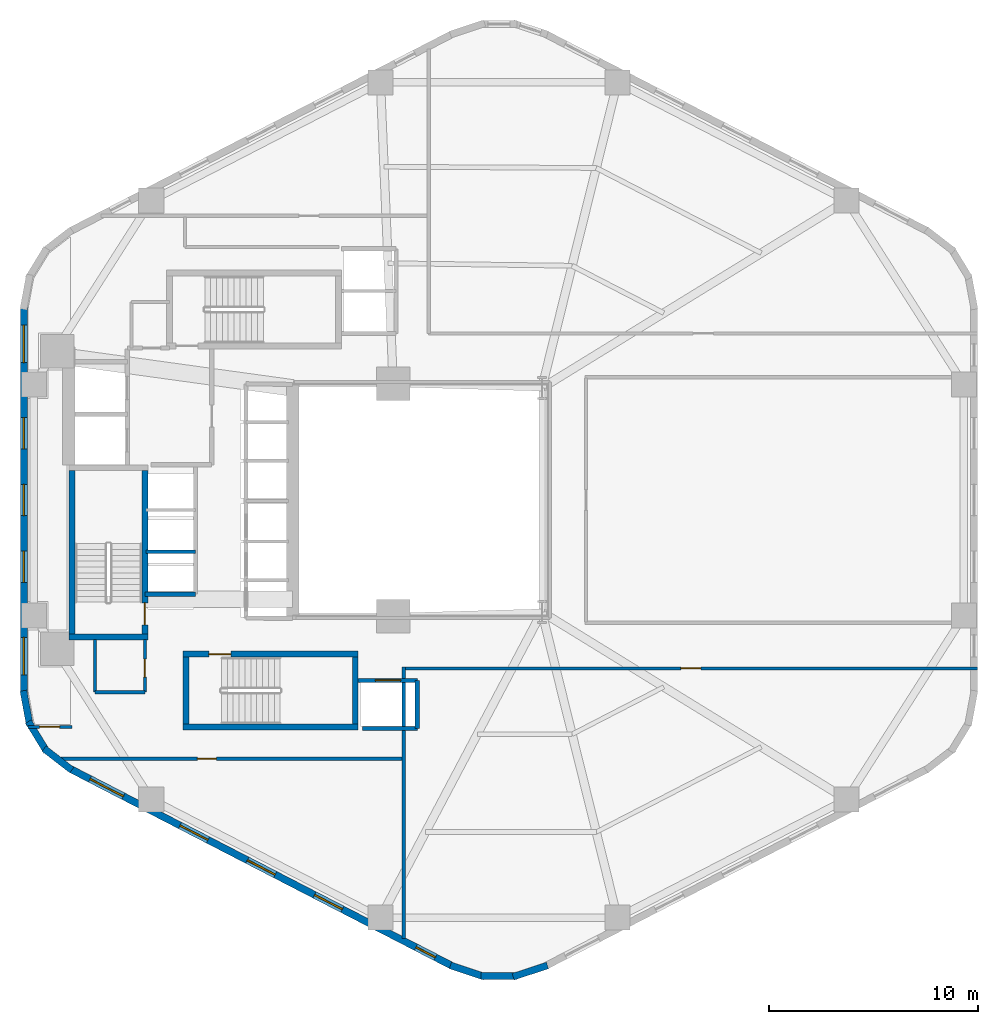
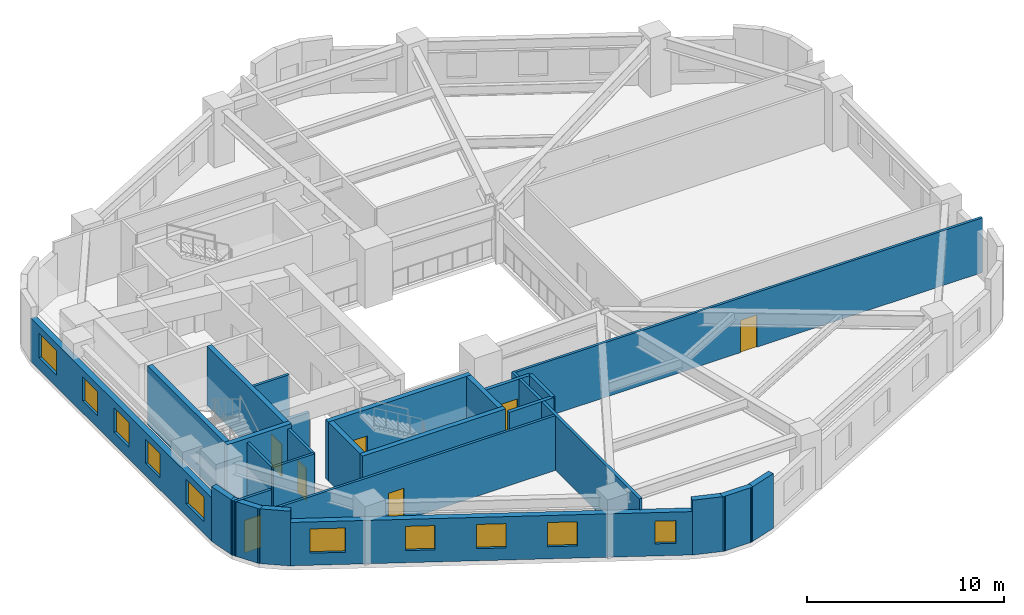
# One storey, part 2 of 6: 27 walls, 10 windows, 7 doors, 17 openings.
"""IFC4 building model written with IfcOpenShell, lengths in metres."""

from ifc_helpers import new_model, si_unit, direction, frame, frame_2d, origin, place, context, subcontext, project, spatial, rectangle, extrude, material, layer, layer_set, type_object, element, fill, save


model = new_model("IFC4")

# Units and contexts
model_context = context("Model", 3, precision=1e-05, world=origin(), true_north=direction((0.0, 1.0)))
body_context = subcontext(model_context, "Body", "Model", "MODEL_VIEW")
ifc_project = project(units=[si_unit("LENGTHUNIT", "METRE"), si_unit("AREAUNIT", "SQUARE_METRE"), si_unit("VOLUMEUNIT", "CUBIC_METRE"), si_unit("PLANEANGLEUNIT", "RADIAN"), si_unit("MASSUNIT", "GRAM", prefix="KILO"), si_unit("THERMODYNAMICTEMPERATUREUNIT", "KELVIN"), si_unit("POWERUNIT", "WATT")], contexts=[model_context])

# Site, building, storey
site_placement = place(None, origin())
site = spatial("IfcSite", under=ifc_project, at=site_placement, CompositionType="ELEMENT")
building_placement = place(site_placement, origin())
building = spatial("IfcBuilding", under=site, at=building_placement, Name="Skarre Station Tower", CompositionType="ELEMENT")
storey_placement = place(building_placement, frame((0.0, 0.0, 30.64990234375)))
storey = spatial("IfcBuildingStorey", under=building, at=storey_placement, Name="L07", CompositionType="ELEMENT", Elevation=30.64990234375)

# Walls
ifc_material_1 = material(Name="Acoustic Steel-Stud Gypsum Partition", Category="steel")
ifc_layer_1 = layer(ifc_material_1, 0.14990234375, Name="Acoustic Steel-Stud Gypsum Partition")
ifc_layer_set_1 = layer_set([ifc_layer_1], Name="Acoustic Steel-Stud Gypsum Partition")
wall_type_1 = type_object("IfcWallType", Name="Fire-Rated Corridor Acoustic Partition 150", PredefinedType="PARTITIONING", material=ifc_layer_set_1)
wall_1_placement = place(storey_placement, frame((18.10009765625, 17.340087890625, 0.0), z_axis=(0.0, 0.0, 1.0), x_axis=(0.0, -1.0, 0.0)))
element("IfcWall", 1, at=wall_1_placement, inside=storey, type_object=wall_type_1, Name="L07 Interior Partition WL-PT-L07-CSVC-W", PredefinedType="PARTITIONING", context=body_context, shape_type="SweptSolid", body=[
    extrude(rectangle(XDim=2.52001953125, YDim=0.14990234375, at=frame_2d((1.260009765625, 0.0))), origin(), (0.0, 0.0, 1.0), 3.39013671875),
])
wall_2_placement = place(storey_placement, frame((18.10009765625, 14.820068359375, 0.0), z_axis=(0.0, 0.0, 1.0), x_axis=(1.0, 0.0, 0.0)))
element("IfcWall", 2, at=wall_2_placement, inside=storey, type_object=wall_type_1, Name="L07 Interior Partition WL-PT-L07-CSVC-S", PredefinedType="PARTITIONING", context=body_context, shape_type="SweptSolid", body=[
    extrude(rectangle(XDim=2.389892578125, YDim=0.14990234375, at=frame_2d((1.19482421875, 0.0))), origin(), (0.0, 0.0, 1.0), 3.39013671875),
])

# Wall, opening, door
wall_3_placement = place(storey_placement, frame((20.489990234375, 14.820068359375, 0.0), z_axis=(0.0, 0.0, 1.0), x_axis=(0.0, 1.0, 0.0)))
wall_3 = element("IfcWall", 3, at=wall_3_placement, inside=storey, type_object=wall_type_1, Name="L07 Interior Partition WL-PT-L07-CSVC-E", PredefinedType="PARTITIONING", context=body_context, shape_type="SweptSolid", body=[
    extrude(rectangle(XDim=2.52001953125, YDim=0.14990234375, at=frame_2d((1.260009765625, 0.0))), origin(), (0.0, 0.0, 1.0), 3.39013671875),
])
opening_1_placement = place(wall_3_placement, frame((0.719970703125, 0.0, 0.0)))
opening_1 = element("IfcOpeningElement", 4, at=opening_1_placement, cuts=wall_3, Name="Opening DR-SVC86", PredefinedType="OPENING", context=body_context, shape_type="SweptSolid", body=[
    extrude(rectangle(XDim=0.860107421875, YDim=2.0, at=frame_2d((0.43017578125, 1.0))), frame((0.0, 0.0849609375, 0.0), z_axis=(0.0, -1.0, 0.0), x_axis=(1.0, 0.0, 0.0)), (0.0, 0.0, 1.0), 0.169921875),
])
ifc_material_2 = material(Name="Powder-Coated Hollow-Metal Acoustic Fire Leaf", Category="steel")
door_type_1 = type_object("IfcDoorType", Name="Compact Riser Fire Door FD60 860x2100", OperationType="SINGLE_SWING_LEFT", PredefinedType="DOOR", material=ifc_material_2)
door_1_placement = place(opening_1_placement, origin())
door_1 = element("IfcDoor", 5, at=door_1_placement, inside=storey, type_object=door_type_1, Name="L07 Core Staff Toilet Door", OperationType="SINGLE_SWING_LEFT", OverallHeight=2.0, OverallWidth=0.860107421875, PredefinedType="DOOR", context=body_context, shape_type="SweptSolid", body=[
    extrude(rectangle(XDim=0.860107421875, YDim=2.0, at=frame_2d((0.43017578125, 1.0))), frame((0.0, 0.02490234375, 0.0), z_axis=(0.0, -1.0, 0.0), x_axis=(1.0, 0.0, 0.0)), (0.0, 0.0, 1.0), 0.050048828125),
])
fill(opening_1, door_1)

wall_4_placement = place(storey_placement, frame((16.487060546875, 11.639892578125, 0.0), z_axis=(0.0, 0.0, 1.0), x_axis=(1.0, 0.0, 0.0)))
wall_4 = element("IfcWall", 6, at=wall_4_placement, inside=storey, type_object=wall_type_1, Name="L07 Interior Partition WL-PT-L07-SWP-N", PredefinedType="PARTITIONING", context=body_context, shape_type="SweptSolid", body=[
    extrude(rectangle(XDim=16.363037109375, YDim=0.14990234375, at=frame_2d((8.181640625, 0.0))), origin(), (0.0, 0.0, 1.0), 3.39013671875),
])
opening_2_placement = place(wall_4_placement, frame((6.512939453125, 0.0, 0.0)))
opening_2 = element("IfcOpeningElement", 7, at=opening_2_placement, cuts=wall_4, Name="Opening DR-SVC90", PredefinedType="OPENING", context=body_context, shape_type="SweptSolid", body=[
    extrude(rectangle(XDim=0.89990234375, YDim=2.0, at=frame_2d((0.449951171875, 1.0))), frame((0.0, 0.0849609375, 0.0), z_axis=(0.0, -1.0, 0.0), x_axis=(1.0, 0.0, 0.0)), (0.0, 0.0, 1.0), 0.169921875),
])
door_type_2 = type_object("IfcDoorType", Name="Service & Riser Fire Door FD60 900x2100", OperationType="SINGLE_SWING_LEFT", PredefinedType="DOOR", material=ifc_material_2)
door_2_placement = place(opening_2_placement, origin())
door_2 = element("IfcDoor", 8, at=door_2_placement, inside=storey, type_object=door_type_2, Name="L07 Floor Public Toilets Door", OperationType="SINGLE_SWING_LEFT", OverallHeight=2.0, OverallWidth=0.89990234375, PredefinedType="DOOR", context=body_context, shape_type="SweptSolid", body=[
    extrude(rectangle(XDim=0.89990234375, YDim=2.0, at=frame_2d((0.449951171875, 1.0))), frame((0.0, 0.02490234375, 0.0), z_axis=(0.0, -1.0, 0.0), x_axis=(1.0, 0.0, 0.0)), (0.0, 0.0, 1.0), 0.050048828125),
])
fill(opening_2, door_2)

wall_5_placement = place(storey_placement, frame((17.02001953125, 13.159912109375, 0.0), z_axis=(0.0, 0.0, 1.0), x_axis=(-1.0, 0.0, 0.0)))
wall_5 = element("IfcWall", 9, at=wall_5_placement, inside=storey, type_object=wall_type_1, Name="L07 Interior Partition WL-PT-L07-WW1-CW", PredefinedType="PARTITIONING", context=body_context, shape_type="SweptSolid", body=[
    extrude(rectangle(XDim=2.1201171875, YDim=0.14990234375, at=frame_2d((1.06005859375, 0.0))), origin(), (0.0, 0.0, 1.0), 3.39013671875),
])
opening_3_placement = place(wall_5_placement, frame((0.596923828125, 0.0, 0.0)))
opening_3 = element("IfcOpeningElement", 10, at=opening_3_placement, cuts=wall_5, Name="Opening DR-FD60", PredefinedType="OPENING", context=body_context, shape_type="SweptSolid", body=[
    extrude(rectangle(XDim=0.9599609375, YDim=2.0, at=frame_2d((0.47998046875, 1.0))), frame((0.0, 0.0849609375, 0.0), z_axis=(0.0, -1.0, 0.0), x_axis=(1.0, 0.0, 0.0)), (0.0, 0.0, 1.0), 0.169921875),
])
ifc_material_3 = material(Name="Nordic White-Oak Veneer Solid-Core Fire Leaf", Category="wood")
door_type_3 = type_object("IfcDoorType", Name="Corridor Suite Entry Fire Door FD60 960x2150", OperationType="SINGLE_SWING_LEFT", PredefinedType="DOOR", material=ifc_material_3)
door_3_placement = place(opening_3_placement, origin())
door_3 = element("IfcDoor", 11, at=door_3_placement, inside=storey, type_object=door_type_3, Name="L07 WW1 Entry Door", OperationType="SINGLE_SWING_LEFT", OverallHeight=2.0, OverallWidth=0.9599609375, PredefinedType="DOOR", context=body_context, shape_type="SweptSolid", body=[
    extrude(rectangle(XDim=0.9599609375, YDim=2.0, at=frame_2d((0.47998046875, 1.0))), frame((0.0, 0.02490234375, 0.0), z_axis=(0.0, -1.0, 0.0), x_axis=(1.0, 0.0, 0.0)), (0.0, 0.0, 1.0), 0.050048828125),
])
fill(opening_3, door_3)

wall_6_placement = place(storey_placement, frame((32.85009765625, 15.9599609375, 0.0), z_axis=(0.0, 0.0, 1.0), x_axis=(1.0, 0.0, 0.0)))
wall_6 = element("IfcWall", 12, at=wall_6_placement, inside=storey, type_object=wall_type_1, Name="L07 Interior Partition WL-PT-L07-SW1-CW", PredefinedType="PARTITIONING", context=body_context, shape_type="SweptSolid", body=[
    extrude(rectangle(XDim=27.40283203125, YDim=0.14990234375, at=frame_2d((13.701416015625, 0.0))), origin(), (0.0, 0.0, 1.0), 3.39013671875),
])
opening_4_placement = place(wall_6_placement, frame((13.235107421875, 0.0, 0.0)))
opening_4 = element("IfcOpeningElement", 13, at=opening_4_placement, cuts=wall_6, Name="Opening DR-FD60", PredefinedType="OPENING", context=body_context, shape_type="SweptSolid", body=[
    extrude(rectangle(XDim=0.9599609375, YDim=2.0, at=frame_2d((0.47998046875, 1.0))), frame((0.0, 0.0849609375, 0.0), z_axis=(0.0, -1.0, 0.0), x_axis=(1.0, 0.0, 0.0)), (0.0, 0.0, 1.0), 0.169921875),
])
door_4_placement = place(opening_4_placement, origin())
door_4 = element("IfcDoor", 14, at=door_4_placement, inside=storey, type_object=door_type_3, Name="L07 SW1 Entry Door", OperationType="SINGLE_SWING_LEFT", OverallHeight=2.0, OverallWidth=0.9599609375, PredefinedType="DOOR", context=body_context, shape_type="SweptSolid", body=[
    extrude(rectangle(XDim=0.9599609375, YDim=2.0, at=frame_2d((0.47998046875, 1.0))), frame((0.0, 0.02490234375, 0.0), z_axis=(0.0, -1.0, 0.0), x_axis=(1.0, 0.0, 0.0)), (0.0, 0.0, 1.0), 0.050048828125),
])
fill(opening_4, door_4)

# Wall, openings, windows
ifc_material_4 = material(Name="Precast concrete C45/55", Category="concrete")
ifc_layer_2 = layer(ifc_material_4, 0.340087890625, Name="Precast concrete C45/55")
ifc_layer_set_2 = layer_set([ifc_layer_2], Name="Precast concrete C45/55")
wall_type_2 = type_object("IfcWallType", Name="Nordic Honed Precast Facet Wall 340", PredefinedType="STANDARD", material=ifc_layer_set_2)
wall_7_placement = place(storey_placement, frame((14.70703125, 14.798095703125, 0.0), z_axis=(0.0, 0.0, 1.0), x_axis=(0.0, 1.0, 0.0)))
wall_7 = element("IfcWall", 15, at=wall_7_placement, inside=storey, type_object=wall_type_2, Name="L07 Facet 2 Nordic Precast Masonry Wall", PredefinedType="STANDARD", context=body_context, shape_type="SweptSolid", body=[
    extrude(rectangle(XDim=18.40380859375, YDim=0.340087890625, at=frame_2d((9.201904296875, 0.0))), origin(), (0.0, 0.0, 1.0), 2.68408203125),
])
opening_5_placement = place(wall_7_placement, frame((0.844970703125, 0.0, 0.75)))
opening_5 = element("IfcOpeningElement", 16, at=opening_5_placement, cuts=wall_7, Name="Opening WN-Z1A", PredefinedType="OPENING", context=body_context, shape_type="SweptSolid", body=[
    extrude(rectangle(XDim=1.800048828125, YDim=1.5, at=frame_2d((0.89990234375, 0.75))), frame((0.0, 0.179931640625, 0.0), z_axis=(0.0, -1.0, 0.0), x_axis=(1.0, 0.0, 0.0)), (0.0, 0.0, 1.0), 0.360107421875),
])
opening_6_placement = place(wall_7_placement, frame((5.264892578125, 0.0, 0.75)))
opening_6 = element("IfcOpeningElement", 17, at=opening_6_placement, cuts=wall_7, Name="Opening WN-Z1B", PredefinedType="OPENING", context=body_context, shape_type="SweptSolid", body=[
    extrude(rectangle(XDim=1.5, YDim=1.5, at=frame_2d((0.75, 0.75))), frame((0.0, 0.179931640625, 0.0), z_axis=(0.0, -1.0, 0.0), x_axis=(1.0, 0.0, 0.0)), (0.0, 0.0, 1.0), 0.360107421875),
])
opening_7_placement = place(wall_7_placement, frame((8.451904296875, 0.0, 0.75)))
opening_7 = element("IfcOpeningElement", 18, at=opening_7_placement, cuts=wall_7, Name="Opening WN-Z1B", PredefinedType="OPENING", context=body_context, shape_type="SweptSolid", body=[
    extrude(rectangle(XDim=1.5, YDim=1.5, at=frame_2d((0.75, 0.75))), frame((0.0, 0.179931640625, 0.0), z_axis=(0.0, -1.0, 0.0), x_axis=(1.0, 0.0, 0.0)), (0.0, 0.0, 1.0), 0.360107421875),
])
opening_8_placement = place(wall_7_placement, frame((11.638916015625, 0.0, 0.75)))
opening_8 = element("IfcOpeningElement", 19, at=opening_8_placement, cuts=wall_7, Name="Opening WN-Z1B", PredefinedType="OPENING", context=body_context, shape_type="SweptSolid", body=[
    extrude(rectangle(XDim=1.5, YDim=1.5, at=frame_2d((0.75, 0.75))), frame((0.0, 0.179931640625, 0.0), z_axis=(0.0, -1.0, 0.0), x_axis=(1.0, 0.0, 0.0)), (0.0, 0.0, 1.0), 0.360107421875),
])
opening_9_placement = place(wall_7_placement, frame((15.758056640625, 0.0, 0.75)))
opening_9 = element("IfcOpeningElement", 20, at=opening_9_placement, cuts=wall_7, Name="Opening WN-Z1A", PredefinedType="OPENING", context=body_context, shape_type="SweptSolid", body=[
    extrude(rectangle(XDim=1.800048828125, YDim=1.5, at=frame_2d((0.89990234375, 0.75))), frame((0.0, 0.179931640625, 0.0), z_axis=(0.0, -1.0, 0.0), x_axis=(1.0, 0.0, 0.0)), (0.0, 0.0, 1.0), 0.360107421875),
])
ifc_material_5 = material(Name="Low-Iron Triple Glazing with Bronze Anodized Frame", Category="glass")
window_type_1 = type_object("IfcWindowType", Name="Nordic Punched Triple-Glazed Window 1500x1500", PartitioningType="SINGLE_PANEL", PredefinedType="WINDOW", material=ifc_material_5)
window_1_placement = place(opening_6_placement, origin())
window_1 = element("IfcWindow", 21, at=window_1_placement, inside=storey, type_object=window_type_1, Name="L07 Facade Window WL-FAC-L07-F2-2", OverallHeight=1.5, OverallWidth=1.5, PartitioningType="SINGLE_PANEL", PredefinedType="WINDOW", context=body_context, shape_type="SweptSolid", body=[
    extrude(rectangle(XDim=1.5, YDim=1.5, at=frame_2d((0.75, 0.75))), frame((0.0, 0.030029296875, 0.0), z_axis=(0.0, -1.0, 0.0), x_axis=(1.0, 0.0, 0.0)), (0.0, 0.0, 1.0), 0.06005859375),
])
fill(opening_6, window_1)
window_2_placement = place(opening_7_placement, origin())
window_2 = element("IfcWindow", 22, at=window_2_placement, inside=storey, type_object=window_type_1, Name="L07 Facade Window WL-FAC-L07-F2-3", OverallHeight=1.5, OverallWidth=1.5, PartitioningType="SINGLE_PANEL", PredefinedType="WINDOW", context=body_context, shape_type="SweptSolid", body=[
    extrude(rectangle(XDim=1.5, YDim=1.5, at=frame_2d((0.75, 0.75))), frame((0.0, 0.030029296875, 0.0), z_axis=(0.0, -1.0, 0.0), x_axis=(1.0, 0.0, 0.0)), (0.0, 0.0, 1.0), 0.06005859375),
])
fill(opening_7, window_2)
window_3_placement = place(opening_8_placement, origin())
window_3 = element("IfcWindow", 23, at=window_3_placement, inside=storey, type_object=window_type_1, Name="L07 Facade Window WL-FAC-L07-F2-4", OverallHeight=1.5, OverallWidth=1.5, PartitioningType="SINGLE_PANEL", PredefinedType="WINDOW", context=body_context, shape_type="SweptSolid", body=[
    extrude(rectangle(XDim=1.5, YDim=1.5, at=frame_2d((0.75, 0.75))), frame((0.0, 0.030029296875, 0.0), z_axis=(0.0, -1.0, 0.0), x_axis=(1.0, 0.0, 0.0)), (0.0, 0.0, 1.0), 0.06005859375),
])
fill(opening_8, window_3)
window_type_2 = type_object("IfcWindowType", Name="Nordic Punched Triple-Glazed Window 1800x1500", PartitioningType="SINGLE_PANEL", PredefinedType="WINDOW", material=ifc_material_5)
window_4_placement = place(opening_5_placement, origin())
window_4 = element("IfcWindow", 24, at=window_4_placement, inside=storey, type_object=window_type_2, Name="L07 Facade Window WL-FAC-L07-F2-1", OverallHeight=1.5, OverallWidth=1.800048828125, PartitioningType="SINGLE_PANEL", PredefinedType="WINDOW", context=body_context, shape_type="SweptSolid", body=[
    extrude(rectangle(XDim=1.800048828125, YDim=1.5, at=frame_2d((0.89990234375, 0.75))), frame((0.0, 0.030029296875, 0.0), z_axis=(0.0, -1.0, 0.0), x_axis=(1.0, 0.0, 0.0)), (0.0, 0.0, 1.0), 0.06005859375),
])
fill(opening_5, window_4)
window_5_placement = place(opening_9_placement, origin())
window_5 = element("IfcWindow", 25, at=window_5_placement, inside=storey, type_object=window_type_2, Name="L07 Facade Window WL-FAC-L07-F2-5", OverallHeight=1.5, OverallWidth=1.800048828125, PartitioningType="SINGLE_PANEL", PredefinedType="WINDOW", context=body_context, shape_type="SweptSolid", body=[
    extrude(rectangle(XDim=1.800048828125, YDim=1.5, at=frame_2d((0.89990234375, 0.75))), frame((0.0, 0.030029296875, 0.0), z_axis=(0.0, -1.0, 0.0), x_axis=(1.0, 0.0, 0.0)), (0.0, 0.0, 1.0), 0.06005859375),
])
fill(opening_9, window_5)

wall_8_placement = place(storey_placement, frame((35.1689453125, 1.742919921875, 0.0), z_axis=(0.0, 0.0, 1.0), x_axis=(-0.888634413993, 0.458616264721, 0.0)))
wall_8 = element("IfcWall", 26, at=wall_8_placement, inside=storey, type_object=wall_type_2, Name="L07 Facet 3 Nordic Precast Masonry Wall", PredefinedType="STANDARD", context=body_context, shape_type="SweptSolid", body=[
    extrude(rectangle(XDim=20.53125, YDim=0.340087890625, at=frame_2d((10.265625, 0.0))), origin(), (0.0, 0.0, 1.0), 2.68408203125),
])
opening_10_placement = place(wall_8_placement, frame((0.902099609375, 0.0, 0.75)))
opening_10 = element("IfcOpeningElement", 27, at=opening_10_placement, cuts=wall_8, Name="Opening WN-SLT", PredefinedType="OPENING", context=body_context, shape_type="SweptSolid", body=[
    extrude(rectangle(XDim=1.050048828125, YDim=1.39990234375, at=frame_2d((0.52490234375, 0.699951171875))), frame((0.0, 0.179931640625, 0.0), z_axis=(0.0, -1.0, 0.0), x_axis=(1.0, 0.0, 0.0)), (0.0, 0.0, 1.0), 0.360107421875),
])
opening_11_placement = place(wall_8_placement, frame((5.903076171875, 0.0, 0.75)))
opening_11 = element("IfcOpeningElement", 28, at=opening_11_placement, cuts=wall_8, Name="Opening WN-Z1B", PredefinedType="OPENING", context=body_context, shape_type="SweptSolid", body=[
    extrude(rectangle(XDim=1.5, YDim=1.5, at=frame_2d((0.75, 0.75))), frame((0.0, 0.179931640625, 0.0), z_axis=(0.0, -1.0, 0.0), x_axis=(1.0, 0.0, 0.0)), (0.0, 0.0, 1.0), 0.360107421875),
])
opening_12_placement = place(wall_8_placement, frame((9.51611328125, 0.0, 0.75)))
opening_12 = element("IfcOpeningElement", 29, at=opening_12_placement, cuts=wall_8, Name="Opening WN-Z1B", PredefinedType="OPENING", context=body_context, shape_type="SweptSolid", body=[
    extrude(rectangle(XDim=1.5, YDim=1.5, at=frame_2d((0.75, 0.75))), frame((0.0, 0.179931640625, 0.0), z_axis=(0.0, -1.0, 0.0), x_axis=(1.0, 0.0, 0.0)), (0.0, 0.0, 1.0), 0.360107421875),
])
opening_13_placement = place(wall_8_placement, frame((13.12890625, 0.0, 0.75)))
opening_13 = element("IfcOpeningElement", 30, at=opening_13_placement, cuts=wall_8, Name="Opening WN-Z1B", PredefinedType="OPENING", context=body_context, shape_type="SweptSolid", body=[
    extrude(rectangle(XDim=1.5, YDim=1.5, at=frame_2d((0.75, 0.75))), frame((0.0, 0.179931640625, 0.0), z_axis=(0.0, -1.0, 0.0), x_axis=(1.0, 0.0, 0.0)), (0.0, 0.0, 1.0), 0.360107421875),
])
opening_14_placement = place(wall_8_placement, frame((17.673095703125, 0.0, 0.75)))
opening_14 = element("IfcOpeningElement", 31, at=opening_14_placement, cuts=wall_8, Name="Opening WN-Z1A", PredefinedType="OPENING", context=body_context, shape_type="SweptSolid", body=[
    extrude(rectangle(XDim=1.800048828125, YDim=1.5, at=frame_2d((0.89990234375, 0.75))), frame((0.0, 0.179931640625, 0.0), z_axis=(0.0, -1.0, 0.0), x_axis=(1.0, 0.0, 0.0)), (0.0, 0.0, 1.0), 0.360107421875),
])
window_type_3 = type_object("IfcWindowType", Name="Nordic Corner Slot Window 1050x1400", PartitioningType="SINGLE_PANEL", PredefinedType="WINDOW", material=ifc_material_5)
window_6_placement = place(opening_10_placement, origin())
window_6 = element("IfcWindow", 32, at=window_6_placement, inside=storey, type_object=window_type_3, Name="L07 Facade Window WL-FAC-L07-F3-1", OverallHeight=1.39990234375, OverallWidth=1.050048828125, PartitioningType="SINGLE_PANEL", PredefinedType="WINDOW", context=body_context, shape_type="SweptSolid", body=[
    extrude(rectangle(XDim=1.050048828125, YDim=1.39990234375, at=frame_2d((0.52490234375, 0.699951171875))), frame((0.0, 0.030029296875, 0.0), z_axis=(0.0, -1.0, 0.0), x_axis=(1.0, 0.0, 0.0)), (0.0, 0.0, 1.0), 0.06005859375),
])
fill(opening_10, window_6)
window_7_placement = place(opening_11_placement, origin())
window_7 = element("IfcWindow", 33, at=window_7_placement, inside=storey, type_object=window_type_1, Name="L07 Facade Window WL-FAC-L07-F3-2", OverallHeight=1.5, OverallWidth=1.5, PartitioningType="SINGLE_PANEL", PredefinedType="WINDOW", context=body_context, shape_type="SweptSolid", body=[
    extrude(rectangle(XDim=1.5, YDim=1.5, at=frame_2d((0.75, 0.75))), frame((0.0, 0.030029296875, 0.0), z_axis=(0.0, -1.0, 0.0), x_axis=(1.0, 0.0, 0.0)), (0.0, 0.0, 1.0), 0.06005859375),
])
fill(opening_11, window_7)
window_8_placement = place(opening_12_placement, origin())
window_8 = element("IfcWindow", 34, at=window_8_placement, inside=storey, type_object=window_type_1, Name="L07 Facade Window WL-FAC-L07-F3-3", OverallHeight=1.5, OverallWidth=1.5, PartitioningType="SINGLE_PANEL", PredefinedType="WINDOW", context=body_context, shape_type="SweptSolid", body=[
    extrude(rectangle(XDim=1.5, YDim=1.5, at=frame_2d((0.75, 0.75))), frame((0.0, 0.030029296875, 0.0), z_axis=(0.0, -1.0, 0.0), x_axis=(1.0, 0.0, 0.0)), (0.0, 0.0, 1.0), 0.06005859375),
])
fill(opening_12, window_8)
window_9_placement = place(opening_13_placement, origin())
window_9 = element("IfcWindow", 35, at=window_9_placement, inside=storey, type_object=window_type_1, Name="L07 Facade Window WL-FAC-L07-F3-4", OverallHeight=1.5, OverallWidth=1.5, PartitioningType="SINGLE_PANEL", PredefinedType="WINDOW", context=body_context, shape_type="SweptSolid", body=[
    extrude(rectangle(XDim=1.5, YDim=1.5, at=frame_2d((0.75, 0.75))), frame((0.0, 0.030029296875, 0.0), z_axis=(0.0, -1.0, 0.0), x_axis=(1.0, 0.0, 0.0)), (0.0, 0.0, 1.0), 0.06005859375),
])
fill(opening_13, window_9)
window_10_placement = place(opening_14_placement, origin())
window_10 = element("IfcWindow", 36, at=window_10_placement, inside=storey, type_object=window_type_2, Name="L07 Facade Window WL-FAC-L07-F3-5", OverallHeight=1.5, OverallWidth=1.800048828125, PartitioningType="SINGLE_PANEL", PredefinedType="WINDOW", context=body_context, shape_type="SweptSolid", body=[
    extrude(rectangle(XDim=1.800048828125, YDim=1.5, at=frame_2d((0.89990234375, 0.75))), frame((0.0, 0.030029296875, 0.0), z_axis=(0.0, -1.0, 0.0), x_axis=(1.0, 0.0, 0.0)), (0.0, 0.0, 1.0), 0.06005859375),
])
fill(opening_14, window_10)

# Walls
ifc_layer_3 = layer(ifc_material_4, 0.330078125, Name="Precast concrete C45/55")
ifc_layer_set_3 = layer_set([ifc_layer_3], Name="Precast concrete C45/55")
wall_type_3 = type_object("IfcWallType", Name="Nordic Rounded Corner Precast Wall 330", PredefinedType="STANDARD", material=ifc_layer_set_3)
wall_9_placement = place(storey_placement, frame((16.998046875, 11.09912109375, 0.0), z_axis=(0.0, 0.0, 1.0), x_axis=(-0.790691856293, 0.61221433207, 0.0)))
element("IfcWall", 37, at=wall_9_placement, inside=storey, type_object=wall_type_3, Name="L07 Rounded Corner Precast Wall F3-1", PredefinedType="STANDARD", context=body_context, shape_type="SweptSolid", body=[
    extrude(rectangle(XDim=1.67578125, YDim=0.330078125, at=frame_2d((0.837890625, 0.0))), origin(), (0.0, 0.0, 1.0), 3.39013671875),
])
wall_10_placement = place(storey_placement, frame((15.798095703125, 11.985107421875, 0.0), z_axis=(0.0, 0.0, 1.0), x_axis=(-0.520584129191, 0.853810379671, 0.0)))
element("IfcWall", 38, at=wall_10_placement, inside=storey, type_object=wall_type_3, Name="L07 Rounded Corner Precast Wall F3-2", PredefinedType="STANDARD", context=body_context, shape_type="SweptSolid", body=[
    extrude(rectangle(XDim=1.677001953125, YDim=0.330078125, at=frame_2d((0.83837890625, 0.0))), origin(), (0.0, 0.0, 1.0), 3.39013671875),
])
wall_11_placement = place(storey_placement, frame((14.991943359375, 13.241943359375, 0.0), z_axis=(0.0, 0.0, 1.0), x_axis=(-0.181714143354, 0.983351397063, 0.0)))
element("IfcWall", 39, at=wall_11_placement, inside=storey, type_object=wall_type_3, Name="L07 Rounded Corner Precast Wall F3-3", PredefinedType="STANDARD", context=body_context, shape_type="SweptSolid", body=[
    extrude(rectangle(XDim=1.677978515625, YDim=0.330078125, at=frame_2d((0.8388671875, 0.0))), origin(), (0.0, 0.0, 1.0), 3.39013671875),
])
wall_12_placement = place(storey_placement, frame((39.718994140625, 1.76904296875, 0.0), z_axis=(0.0, 0.0, 1.0), x_axis=(-0.94976901097, -0.312951794691, 0.0)))
element("IfcWall", 40, at=wall_12_placement, inside=storey, type_object=wall_type_3, Name="L07 Rounded Corner Precast Wall F4-1", PredefinedType="STANDARD", context=body_context, shape_type="SweptSolid", body=[
    extrude(rectangle(XDim=1.722412109375, YDim=0.330078125, at=frame_2d((0.861328125, 0.0))), origin(), (0.0, 0.0, 1.0), 3.39013671875),
])
wall_13_placement = place(storey_placement, frame((38.260986328125, 1.259033203125, 0.0), z_axis=(0.0, 0.0, 1.0), x_axis=(-1.0, 0.0, 0.0)))
element("IfcWall", 41, at=wall_13_placement, inside=storey, type_object=wall_type_3, Name="L07 Rounded Corner Precast Wall F4-2", PredefinedType="STANDARD", context=body_context, shape_type="SweptSolid", body=[
    extrude(rectangle(XDim=1.721923828125, YDim=0.330078125, at=frame_2d((0.86083984375, 0.0))), origin(), (0.0, 0.0, 1.0), 3.39013671875),
])
wall_14_placement = place(storey_placement, frame((36.717041015625, 1.22998046875, 0.0), z_axis=(0.0, 0.0, 1.0), x_axis=(-0.94976901097, 0.312951794691, 0.0)))
element("IfcWall", 42, at=wall_14_placement, inside=storey, type_object=wall_type_3, Name="L07 Rounded Corner Precast Wall F4-3", PredefinedType="STANDARD", context=body_context, shape_type="SweptSolid", body=[
    extrude(rectangle(XDim=1.722412109375, YDim=0.330078125, at=frame_2d((0.861328125, 0.0))), origin(), (0.0, 0.0, 1.0), 3.39013671875),
])
ifc_material_6 = material(Name="Concrete C50/60", Category="concrete")
ifc_layer_4 = layer(ifc_material_6, 0.280029296875, Name="Concrete C50/60")
ifc_layer_set_4 = layer_set([ifc_layer_4], Name="Concrete C50/60")
wall_type_4 = type_object("IfcWallType", Name="RC Core Shear Wall 280", PredefinedType="SHEAR", material=ifc_layer_set_4)
wall_15_placement = place(storey_placement, frame((16.8701171875, 17.4599609375, 0.0), z_axis=(0.0, 0.0, 1.0), x_axis=(1.0, 0.0, 0.0)))
element("IfcWall", 43, at=wall_15_placement, inside=storey, type_object=wall_type_4, Name="L07 Stair ST-1 South Shear Wall", PredefinedType="SHEAR", context=body_context, shape_type="SweptSolid", body=[
    extrude(rectangle(XDim=3.759765625, YDim=0.280029296875, at=frame_2d((1.8798828125, 0.0))), origin(), (0.0, 0.0, 1.0), 3.650146484375),
])
wall_16_placement = place(storey_placement, frame((17.010009765625, 25.39990234375, 0.0), z_axis=(0.0, 0.0, 1.0), x_axis=(0.0, -1.0, 0.0)))
element("IfcWall", 44, at=wall_16_placement, inside=storey, type_object=wall_type_4, Name="L07 Stair ST-1 West Shear Wall", PredefinedType="SHEAR", context=body_context, shape_type="SweptSolid", body=[
    extrude(rectangle(XDim=7.7998046875, YDim=0.280029296875, at=frame_2d((3.89990234375, 0.0))), origin(), (0.0, 0.0, 1.0), 3.650146484375),
])

# Wall, opening, door
wall_17_placement = place(storey_placement, frame((20.489990234375, 17.60009765625, 0.0), z_axis=(0.0, 0.0, 1.0), x_axis=(0.0, 1.0, 0.0)))
wall_17 = element("IfcWall", 45, at=wall_17_placement, inside=storey, type_object=wall_type_4, Name="L07 Stair ST-1 East Shear Wall", PredefinedType="SHEAR", context=body_context, shape_type="SweptSolid", body=[
    extrude(rectangle(XDim=7.7998046875, YDim=0.280029296875, at=frame_2d((3.89990234375, 0.0))), origin(), (0.0, 0.0, 1.0), 3.650146484375),
])
opening_15_placement = place(wall_17_placement, frame((0.43994140625, 0.0, 0.0)))
opening_15 = element("IfcOpeningElement", 46, at=opening_15_placement, cuts=wall_17, Name="Opening DR-FD90", PredefinedType="OPENING", context=body_context, shape_type="SweptSolid", body=[
    extrude(rectangle(XDim=1.050048828125, YDim=2.0, at=frame_2d((0.52490234375, 1.0))), frame((0.0, 0.14990234375, 0.0), z_axis=(0.0, -1.0, 0.0), x_axis=(1.0, 0.0, 0.0)), (0.0, 0.0, 1.0), 0.300048828125),
])
ifc_material_7 = material(Name="Fire-Rated Insulated Steel Frame & Timber Core Leaf", Category="steel")
door_type_4 = type_object("IfcDoorType", Name="Stair & FSAE Lobby Fire Door FD90 1050x2150", OperationType="SINGLE_SWING_RIGHT", PredefinedType="DOOR", material=ifc_material_7)
door_5_placement = place(opening_15_placement, origin())
door_5 = element("IfcDoor", 47, at=door_5_placement, inside=storey, type_object=door_type_4, Name="L07 Stair ST-1 Exit Door", OperationType="SINGLE_SWING_RIGHT", OverallHeight=2.0, OverallWidth=1.050048828125, PredefinedType="DOOR", context=body_context, shape_type="SweptSolid", body=[
    extrude(rectangle(XDim=1.050048828125, YDim=2.0, at=frame_2d((0.52490234375, 1.0))), frame((0.0, 0.02490234375, 0.0), z_axis=(0.0, -1.0, 0.0), x_axis=(1.0, 0.0, 0.0)), (0.0, 0.0, 1.0), 0.050048828125),
])
fill(opening_15, door_5)

# Wall
wall_18_placement = place(storey_placement, frame((22.320068359375, 13.159912109375, 0.0), z_axis=(0.0, 0.0, 1.0), x_axis=(1.0, 0.0, 0.0)))
element("IfcWall", 48, at=wall_18_placement, inside=storey, type_object=wall_type_4, Name="L07 Stair ST-2 South Shear Wall", PredefinedType="SHEAR", context=body_context, shape_type="SweptSolid", body=[
    extrude(rectangle(XDim=8.35986328125, YDim=0.280029296875, at=frame_2d((4.179931640625, 0.0))), origin(), (0.0, 0.0, 1.0), 3.650146484375),
])

# Wall, opening, door
wall_19_placement = place(storey_placement, frame((30.679931640625, 16.639892578125, 0.0), z_axis=(0.0, 0.0, 1.0), x_axis=(-1.0, 0.0, 0.0)))
wall_19 = element("IfcWall", 49, at=wall_19_placement, inside=storey, type_object=wall_type_4, Name="L07 Stair ST-2 North Shear Wall", PredefinedType="SHEAR", context=body_context, shape_type="SweptSolid", body=[
    extrude(rectangle(XDim=8.35986328125, YDim=0.280029296875, at=frame_2d((4.179931640625, 0.0))), origin(), (0.0, 0.0, 1.0), 3.650146484375),
])
opening_16_placement = place(wall_19_placement, frame((6.080078125, 0.0, 0.0)))
opening_16 = element("IfcOpeningElement", 50, at=opening_16_placement, cuts=wall_19, Name="Opening DR-FD90", PredefinedType="OPENING", context=body_context, shape_type="SweptSolid", body=[
    extrude(rectangle(XDim=1.050048828125, YDim=2.0, at=frame_2d((0.52490234375, 1.0))), frame((0.0, 0.14990234375, 0.0), z_axis=(0.0, -1.0, 0.0), x_axis=(1.0, 0.0, 0.0)), (0.0, 0.0, 1.0), 0.300048828125),
])
door_6_placement = place(opening_16_placement, origin())
door_6 = element("IfcDoor", 51, at=door_6_placement, inside=storey, type_object=door_type_4, Name="L07 Stair ST-2 Exit Door", OperationType="SINGLE_SWING_RIGHT", OverallHeight=2.0, OverallWidth=1.050048828125, PredefinedType="DOOR", context=body_context, shape_type="SweptSolid", body=[
    extrude(rectangle(XDim=1.050048828125, YDim=2.0, at=frame_2d((0.52490234375, 1.0))), frame((0.0, 0.02490234375, 0.0), z_axis=(0.0, -1.0, 0.0), x_axis=(1.0, 0.0, 0.0)), (0.0, 0.0, 1.0), 0.050048828125),
])
fill(opening_16, door_6)

# Walls
for number, where, z_axis, x_axis, name in (
    (52, (22.4599609375, 16.5, 0.0), (0.0, 0.0, 1.0), (0.0, -1.0, 0.0), "L07 Stair ST-2 West Shear Wall"),
    (53, (30.5400390625, 13.300048828125, 0.0), (0.0, 0.0, 1.0), (0.0, 1.0, 0.0), "L07 Stair ST-2 East Shear Wall"),
):
    element("IfcWall", number, at=place(storey_placement, frame(where, z_axis=z_axis, x_axis=x_axis)), inside=storey, type_object=wall_type_4, Name=name, PredefinedType="SHEAR", context=body_context, shape_type="SweptSolid", body=[
        extrude(rectangle(XDim=3.199951171875, YDim=0.280029296875, at=frame_2d((1.60009765625, 0.0))), origin(), (0.0, 0.0, 1.0), 3.650146484375),
    ])

# Wall, opening, door
ifc_material_8 = material(Name="Gypsum Concrete Shaft Assembly C30/37", Category="concrete")
ifc_layer_5 = layer(ifc_material_8, 0.199951171875, Name="Gypsum Concrete Shaft Assembly C30/37")
ifc_layer_set_5 = layer_set([ifc_layer_5], Name="Gypsum Concrete Shaft Assembly C30/37")
wall_type_5 = type_object("IfcWallType", Name="Shaft & Core Fire Partition 200", PredefinedType="PARTITIONING", material=ifc_layer_set_5)
wall_20_placement = place(storey_placement, frame((33.5, 15.3798828125, 0.0), z_axis=(0.0, 0.0, 1.0), x_axis=(-1.0, 0.0, 0.0)))
wall_20 = element("IfcWall", 54, at=wall_20_placement, inside=storey, type_object=wall_type_5, Name="L07 Interior Partition WL-PT-L07-SV1-N", PredefinedType="PARTITIONING", context=body_context, shape_type="SweptSolid", body=[
    extrude(rectangle(XDim=2.820068359375, YDim=0.199951171875, at=frame_2d((1.41015625, 0.0))), origin(), (0.0, 0.0, 1.0), 3.39013671875),
])
opening_17_placement = place(wall_20_placement, frame((0.800048828125, 0.0, 0.0)))
opening_17 = element("IfcOpeningElement", 55, at=opening_17_placement, cuts=wall_20, Name="Opening LD-SV1", PredefinedType="OPENING", context=body_context, shape_type="SweptSolid", body=[
    extrude(rectangle(XDim=1.199951171875, YDim=2.199951171875, at=frame_2d((0.60009765625, 1.10009765625))), frame((0.0, 0.10986328125, 0.0), z_axis=(0.0, -1.0, 0.0), x_axis=(1.0, 0.0, 0.0)), (0.0, 0.0, 1.0), 0.219970703125),
])
ifc_material_9 = material(Name="Heavy-Gauge Brushed Stainless Steel Sliding Leaves", Category="steel")
door_type_5 = type_object("IfcDoorType", Name="Service Elevator Wide Sliding Landing Door 1200x2200", OperationType="SLIDING_TO_RIGHT", PredefinedType="DOOR", material=ifc_material_9)
door_7_placement = place(opening_17_placement, origin())
door_7 = element("IfcDoor", 56, at=door_7_placement, inside=storey, type_object=door_type_5, Name="L07 Service Lift LF-SV1 Landing Door", OperationType="SLIDING_TO_RIGHT", OverallHeight=2.199951171875, OverallWidth=1.199951171875, PredefinedType="DOOR", context=body_context, shape_type="SweptSolid", body=[
    extrude(rectangle(XDim=1.199951171875, YDim=2.199951171875, at=frame_2d((0.60009765625, 1.10009765625))), frame((0.0, 0.02490234375, 0.0), z_axis=(0.0, -1.0, 0.0), x_axis=(1.0, 0.0, 0.0)), (0.0, 0.0, 1.0), 0.050048828125),
])
fill(opening_17, door_7)

# Walls
wall_21_placement = place(storey_placement, frame((33.5, 13.080078125, 0.0), z_axis=(0.0, 0.0, 1.0), x_axis=(0.0, 1.0, 0.0)))
element("IfcWall", 57, at=wall_21_placement, inside=storey, type_object=wall_type_5, Name="L07 Interior Partition WL-PT-L07-SV1-E", PredefinedType="PARTITIONING", context=body_context, shape_type="SweptSolid", body=[
    extrude(rectangle(XDim=2.2998046875, YDim=0.199951171875, at=frame_2d((1.14990234375, 0.0))), origin(), (0.0, 0.0, 1.0), 3.39013671875),
])
wall_22_placement = place(storey_placement, frame((30.87890625, 13.080078125, 0.0), z_axis=(0.0, 0.0, 1.0), x_axis=(1.0, 0.0, 0.0)))
element("IfcWall", 58, at=wall_22_placement, inside=storey, type_object=wall_type_5, Name="L07 Interior Partition WL-PT-L07-SV1-S", PredefinedType="PARTITIONING", context=body_context, shape_type="SweptSolid", body=[
    extrude(rectangle(XDim=2.62109375, YDim=0.199951171875, at=frame_2d((1.310546875, 0.0))), origin(), (0.0, 0.0, 1.0), 3.39013671875),
])
wall_23_placement = place(storey_placement, frame((20.489990234375, 19.5, 0.0), z_axis=(0.0, 0.0, 1.0), x_axis=(1.0, 0.0, 0.0)))
element("IfcWall", 59, at=wall_23_placement, inside=storey, type_object=wall_type_5, Name="L07 Interior Partition WL-PT-L07-B3-S", PredefinedType="PARTITIONING", context=body_context, shape_type="SweptSolid", body=[
    extrude(rectangle(XDim=2.409912109375, YDim=0.199951171875, at=frame_2d((1.205078125, 0.0))), origin(), (0.0, 0.0, 1.0), 2.2900390625),
])
wall_24_placement = place(storey_placement, frame((20.550048828125, 21.52001953125, 0.0), z_axis=(0.0, 0.0, 1.0), x_axis=(1.0, 0.0, 0.0)))
element("IfcWall", 60, at=wall_24_placement, inside=storey, type_object=wall_type_5, Name="L07 Interior Partition WL-PT-L07-B3-D1", PredefinedType="PARTITIONING", context=body_context, shape_type="SweptSolid", body=[
    extrude(rectangle(XDim=2.349853515625, YDim=0.159912109375, at=frame_2d((1.1748046875, 0.0))), origin(), (0.0, 0.0, 1.0), 3.39013671875),
])
ifc_layer_6 = layer(ifc_material_1, 0.1650390625, Name="Acoustic Steel-Stud Gypsum Partition")
ifc_layer_set_6 = layer_set([ifc_layer_6], Name="Acoustic Steel-Stud Gypsum Partition")
wall_type_6 = type_object("IfcWallType", Name="Suite Demising Acoustic Partition 165", PredefinedType="PARTITIONING", material=ifc_layer_set_6)
wall_25_placement = place(storey_placement, frame((32.85009765625, 3.06396484375, 0.0), z_axis=(0.0, 0.0, 1.0), x_axis=(0.0, 1.0, 0.0)))
element("IfcWall", 61, at=wall_25_placement, inside=storey, type_object=wall_type_6, Name="L07 Interior Partition WL-PT-L07-SWP-E", PredefinedType="PARTITIONING", context=body_context, shape_type="SweptSolid", body=[
    extrude(rectangle(XDim=12.966064453125, YDim=0.1650390625, at=frame_2d((6.48291015625, 0.0))), origin(), (0.0, 0.0, 1.0), 3.39013671875),
])

save(model, "model.ifc")
